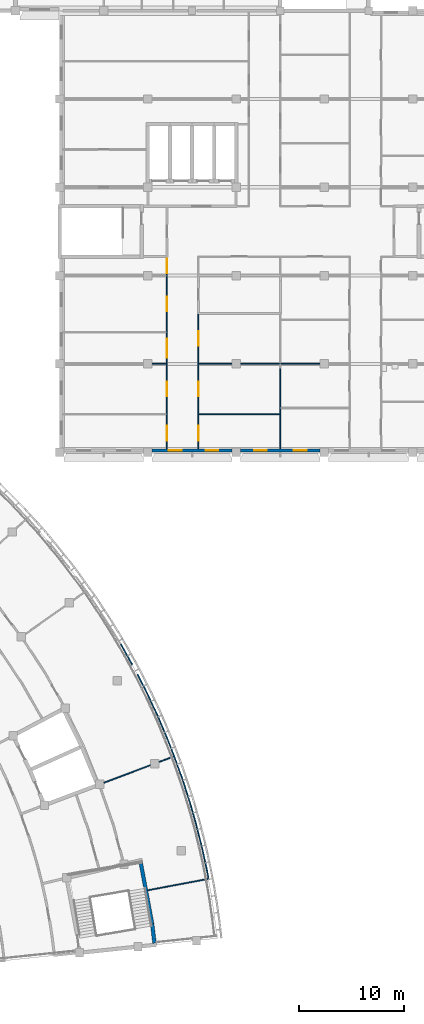
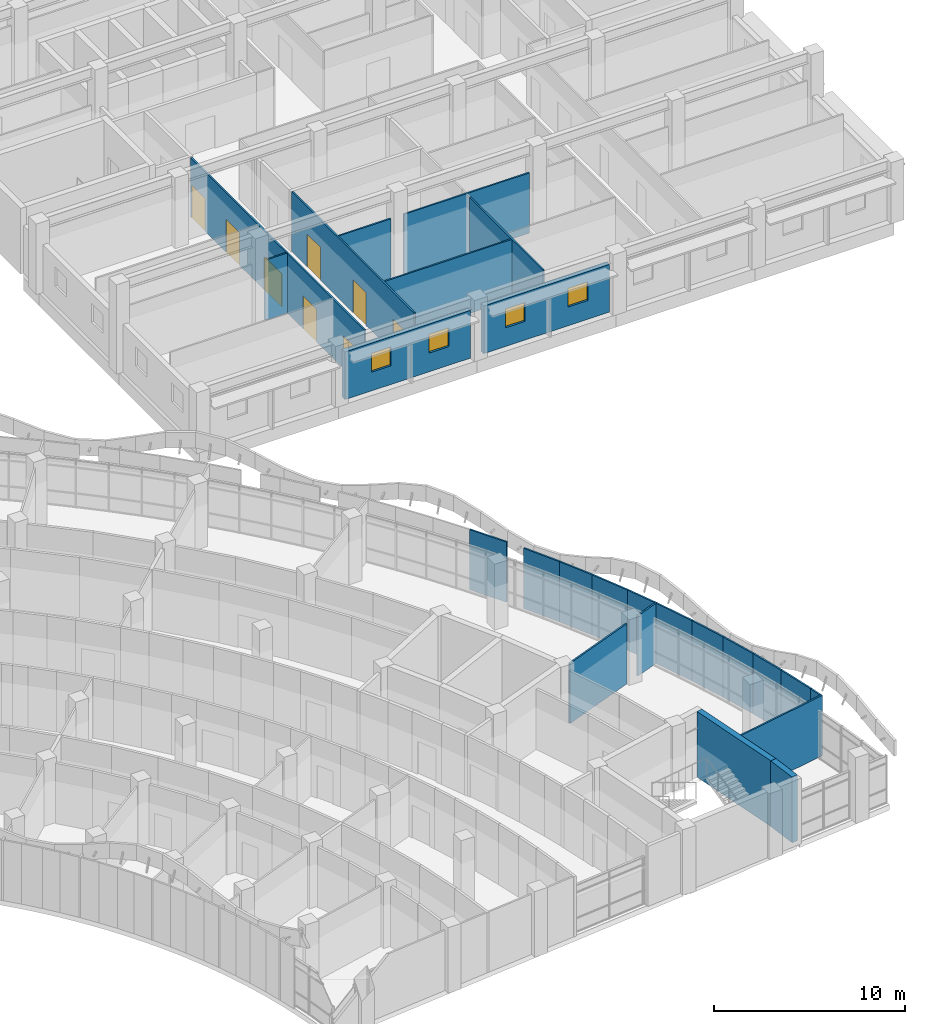
# One storey, part 67 of 109: 25 walls, 8 doors, 4 windows, 12 openings.
"""IFC4 building model written with IfcOpenShell, lengths in metres."""

from ifc_helpers import new_model, si_unit, direction, frame, frame_2d, origin, place, context, subcontext, project, spatial, rectangle, extrude, material, layer, layer_set, type_object, element, fill, save


model = new_model("IFC4")

# Units and contexts
model_context = context("Model", 3, precision=1e-05, world=origin(), true_north=direction((0.0, 1.0)))
body_context = subcontext(model_context, "Body", "Model", "MODEL_VIEW")
ifc_project = project(units=[si_unit("LENGTHUNIT", "METRE"), si_unit("AREAUNIT", "SQUARE_METRE"), si_unit("VOLUMEUNIT", "CUBIC_METRE"), si_unit("PLANEANGLEUNIT", "RADIAN"), si_unit("MASSUNIT", "GRAM", prefix="KILO")], contexts=[model_context])

# Site, building, storey
site_placement = place(None, origin())
site = spatial("IfcSite", under=ifc_project, at=site_placement, CompositionType="ELEMENT")
building_placement = place(site_placement, origin())
building = spatial("IfcBuilding", under=site, at=building_placement, Name="Bougainvillea Quay General Hospital", CompositionType="ELEMENT")
storey_placement = place(building_placement, frame((0.0, 0.0, 12.60009765625)))
storey = spatial("IfcBuildingStorey", under=building, at=storey_placement, Name="L02", CompositionType="ELEMENT", Elevation=12.60009765625)

# Wall, openings, windows
ifc_material_1 = material(Name="Pale stone rainscreen cladding on insulated masonry backing, pale stone", Category="masonry")
ifc_layer_1 = layer(ifc_material_1, 0.300048828125)
ifc_layer_set_1 = layer_set([ifc_layer_1], Name="Pale stone rainscreen cladding on insulated masonry backing, pale stone")
wall_type_1 = type_object("IfcWallType", Name="External wall pale stone rainscreen 300", PredefinedType="STANDARD", material=ifc_layer_set_1)
wall_1_placement = place(storey_placement, frame((172.60009765625, 75.75, 0.0), z_axis=(0.0, 0.0, 1.0), x_axis=(1.0, 0.0, 0.0)))
wall_1 = element("IfcWall", 1, at=wall_1_placement, inside=storey, type_object=wall_type_1, Name="External wall wall/V3/L02/p0/01b", PredefinedType="STANDARD", context=body_context, shape_type="SweptSolid", body=[
    extrude(rectangle(XDim=7.599853515625, YDim=0.300048828125, at=frame_2d((3.7998046875, 0.0))), origin(), (0.0, 0.0, 1.0), 3.0498046875),
])
opening_1_placement = place(wall_1_placement, frame((1.60009765625, 0.0, 1.199951171875)))
opening_1 = element("IfcOpeningElement", 2, at=opening_1_placement, cuts=wall_1, Name="Opening W2", PredefinedType="OPENING", context=body_context, shape_type="SweptSolid", body=[
    extrude(rectangle(XDim=1.199951171875, YDim=1.199951171875, at=frame_2d((0.60009765625, 0.60009765625))), frame((0.0, 0.159912109375, 0.0), z_axis=(0.0, -1.0, 0.0), x_axis=(1.0, 0.0, 0.0)), (0.0, 0.0, 1.0), 0.320068359375),
])
opening_2_placement = place(wall_1_placement, frame((5.10009765625, 0.0, 1.199951171875)))
opening_2 = element("IfcOpeningElement", 3, at=opening_2_placement, cuts=wall_1, Name="Opening W2", PredefinedType="OPENING", context=body_context, shape_type="SweptSolid", body=[
    extrude(rectangle(XDim=1.199951171875, YDim=1.199951171875, at=frame_2d((0.60009765625, 0.60009765625))), frame((0.0, 0.159912109375, 0.0), z_axis=(0.0, -1.0, 0.0), x_axis=(1.0, 0.0, 0.0)), (0.0, 0.0, 1.0), 0.320068359375),
])
ifc_material_2 = material(Name="Aluminium window frame with low-e double glazed unit", Category="aluminium")
window_type = type_object("IfcWindowType", Name="Window W2 1200x1200", PartitioningType="SINGLE_PANEL", PredefinedType="WINDOW", material=ifc_material_2)
window_1_placement = place(opening_1_placement, origin())
window_1 = element("IfcWindow", 4, at=window_1_placement, inside=storey, type_object=window_type, Name="Window W2 1", OverallHeight=1.199951171875, OverallWidth=1.199951171875, PartitioningType="SINGLE_PANEL", PredefinedType="WINDOW", context=body_context, shape_type="SweptSolid", body=[
    extrude(rectangle(XDim=1.199951171875, YDim=1.199951171875, at=frame_2d((0.60009765625, 0.60009765625))), frame((0.0, 0.030029296875, 0.0), z_axis=(0.0, -1.0, 0.0), x_axis=(1.0, 0.0, 0.0)), (0.0, 0.0, 1.0), 0.06005859375),
])
fill(opening_1, window_1)
window_2_placement = place(opening_2_placement, origin())
window_2 = element("IfcWindow", 5, at=window_2_placement, inside=storey, type_object=window_type, Name="Window W2 2", OverallHeight=1.199951171875, OverallWidth=1.199951171875, PartitioningType="SINGLE_PANEL", PredefinedType="WINDOW", context=body_context, shape_type="SweptSolid", body=[
    extrude(rectangle(XDim=1.199951171875, YDim=1.199951171875, at=frame_2d((0.60009765625, 0.60009765625))), frame((0.0, 0.030029296875, 0.0), z_axis=(0.0, -1.0, 0.0), x_axis=(1.0, 0.0, 0.0)), (0.0, 0.0, 1.0), 0.06005859375),
])
fill(opening_2, window_2)

wall_2_placement = place(storey_placement, frame((181.0, 75.75, 0.0), z_axis=(0.0, 0.0, 1.0), x_axis=(1.0, 0.0, 0.0)))
wall_2 = element("IfcWall", 6, at=wall_2_placement, inside=storey, type_object=wall_type_1, Name="External wall wall/V3/L02/p0/01c", PredefinedType="STANDARD", context=body_context, shape_type="SweptSolid", body=[
    extrude(rectangle(XDim=7.60009765625, YDim=0.300048828125, at=frame_2d((3.800048828125, 0.0))), origin(), (0.0, 0.0, 1.0), 3.0498046875),
])
opening_3_placement = place(wall_2_placement, frame((1.300048828125, 0.0, 1.199951171875)))
opening_3 = element("IfcOpeningElement", 7, at=opening_3_placement, cuts=wall_2, Name="Opening W2", PredefinedType="OPENING", context=body_context, shape_type="SweptSolid", body=[
    extrude(rectangle(XDim=1.199951171875, YDim=1.199951171875, at=frame_2d((0.60009765625, 0.60009765625))), frame((0.0, 0.159912109375, 0.0), z_axis=(0.0, -1.0, 0.0), x_axis=(1.0, 0.0, 0.0)), (0.0, 0.0, 1.0), 0.320068359375),
])
opening_4_placement = place(wall_2_placement, frame((5.10009765625, 0.0, 1.199951171875)))
opening_4 = element("IfcOpeningElement", 8, at=opening_4_placement, cuts=wall_2, Name="Opening W2", PredefinedType="OPENING", context=body_context, shape_type="SweptSolid", body=[
    extrude(rectangle(XDim=1.199951171875, YDim=1.199951171875, at=frame_2d((0.60009765625, 0.60009765625))), frame((0.0, 0.159912109375, 0.0), z_axis=(0.0, -1.0, 0.0), x_axis=(1.0, 0.0, 0.0)), (0.0, 0.0, 1.0), 0.320068359375),
])
window_3_placement = place(opening_3_placement, origin())
window_3 = element("IfcWindow", 9, at=window_3_placement, inside=storey, type_object=window_type, Name="Window W2 1", OverallHeight=1.199951171875, OverallWidth=1.199951171875, PartitioningType="SINGLE_PANEL", PredefinedType="WINDOW", context=body_context, shape_type="SweptSolid", body=[
    extrude(rectangle(XDim=1.199951171875, YDim=1.199951171875, at=frame_2d((0.60009765625, 0.60009765625))), frame((0.0, 0.030029296875, 0.0), z_axis=(0.0, -1.0, 0.0), x_axis=(1.0, 0.0, 0.0)), (0.0, 0.0, 1.0), 0.06005859375),
])
fill(opening_3, window_3)
window_4_placement = place(opening_4_placement, origin())
window_4 = element("IfcWindow", 10, at=window_4_placement, inside=storey, type_object=window_type, Name="Window W2 2", OverallHeight=1.199951171875, OverallWidth=1.199951171875, PartitioningType="SINGLE_PANEL", PredefinedType="WINDOW", context=body_context, shape_type="SweptSolid", body=[
    extrude(rectangle(XDim=1.199951171875, YDim=1.199951171875, at=frame_2d((0.60009765625, 0.60009765625))), frame((0.0, 0.030029296875, 0.0), z_axis=(0.0, -1.0, 0.0), x_axis=(1.0, 0.0, 0.0)), (0.0, 0.0, 1.0), 0.06005859375),
])
fill(opening_4, window_4)

# Wall, openings, doors
ifc_material_3 = material(Name="Gypsum board partition on steel studs", Category="steel")
ifc_layer_2 = layer(ifc_material_3, 0.10009765625)
ifc_layer_set_2 = layer_set([ifc_layer_2], Name="Gypsum board partition on steel studs")
wall_type_2 = type_object("IfcWallType", Name="Partition 100 Gypsum board partition", PredefinedType="PARTITIONING", material=ifc_layer_set_2)
wall_3_placement = place(storey_placement, frame((174.0, 94.10009765625, 0.0), z_axis=(0.0, 0.0, 1.0), x_axis=(0.0, -1.0, 0.0)))
wall_3 = element("IfcWall", 11, at=wall_3_placement, inside=storey, type_object=wall_type_2, Name="Partition 100 mm", PredefinedType="PARTITIONING", context=body_context, shape_type="SweptSolid", body=[
    extrude(rectangle(XDim=18.2001953125, YDim=0.10009765625, at=frame_2d((9.10009765625, 0.0))), origin(), (0.0, 0.0, 1.0), 3.789794921875),
])
opening_5_placement = place(wall_3_placement, frame((0.10009765625, 0.0, 0.0)))
opening_5 = element("IfcOpeningElement", 12, at=opening_5_placement, cuts=wall_3, Name="Opening L02.053", PredefinedType="OPENING", context=body_context, shape_type="SweptSolid", body=[
    extrude(rectangle(XDim=1.39990234375, YDim=2.10009765625, at=frame_2d((0.699951171875, 1.050048828125))), frame((0.0, 0.06005859375, 0.0), z_axis=(0.0, -1.0, 0.0), x_axis=(1.0, 0.0, 0.0)), (0.0, 0.0, 1.0), 0.1201171875),
])
opening_6_placement = place(wall_3_placement, frame((3.699951171875, 0.0, 0.0)))
opening_6 = element("IfcOpeningElement", 13, at=opening_6_placement, cuts=wall_3, Name="Opening L02.054", PredefinedType="OPENING", context=body_context, shape_type="SweptSolid", body=[
    extrude(rectangle(XDim=1.39990234375, YDim=2.10009765625, at=frame_2d((0.699951171875, 1.050048828125))), frame((0.0, 0.06005859375, 0.0), z_axis=(0.0, -1.0, 0.0), x_axis=(1.0, 0.0, 0.0)), (0.0, 0.0, 1.0), 0.1201171875),
])
opening_7_placement = place(wall_3_placement, frame((7.699951171875, 0.0, 0.0)))
opening_7 = element("IfcOpeningElement", 14, at=opening_7_placement, cuts=wall_3, Name="Opening L02.055", PredefinedType="OPENING", context=body_context, shape_type="SweptSolid", body=[
    extrude(rectangle(XDim=1.800048828125, YDim=2.10009765625, at=frame_2d((0.89990234375, 1.050048828125))), frame((0.0, 0.06005859375, 0.0), z_axis=(0.0, -1.0, 0.0), x_axis=(1.0, 0.0, 0.0)), (0.0, 0.0, 1.0), 0.1201171875),
])
opening_8_placement = place(wall_3_placement, frame((11.800048828125, 0.0, 0.0)))
opening_8 = element("IfcOpeningElement", 15, at=opening_8_placement, cuts=wall_3, Name="Opening L02.056", PredefinedType="OPENING", context=body_context, shape_type="SweptSolid", body=[
    extrude(rectangle(XDim=1.39990234375, YDim=2.10009765625, at=frame_2d((0.699951171875, 1.050048828125))), frame((0.0, 0.06005859375, 0.0), z_axis=(0.0, -1.0, 0.0), x_axis=(1.0, 0.0, 0.0)), (0.0, 0.0, 1.0), 0.1201171875),
])
opening_9_placement = place(wall_3_placement, frame((16.0, 0.0, 0.0)))
opening_9 = element("IfcOpeningElement", 16, at=opening_9_placement, cuts=wall_3, Name="Opening L02.057", PredefinedType="OPENING", context=body_context, shape_type="SweptSolid", body=[
    extrude(rectangle(XDim=1.39990234375, YDim=2.10009765625, at=frame_2d((0.699951171875, 1.050048828125))), frame((0.0, 0.06005859375, 0.0), z_axis=(0.0, -1.0, 0.0), x_axis=(1.0, 0.0, 0.0)), (0.0, 0.0, 1.0), 0.1201171875),
])
ifc_material_4 = material(Name="Solid-core timber door leaves in steel frame", Category="steel")
door_type_1 = type_object("IfcDoorType", Name="Bed door pair 1400x2100", OperationType="DOUBLE_DOOR_SINGLE_SWING", PredefinedType="DOOR", material=ifc_material_4)
door_1_placement = place(opening_5_placement, frame((1.39990234375, 0.0, 0.0), z_axis=(0.0, 0.0, 1.0), x_axis=(-1.0, 0.0, 0.0)))
door_1 = element("IfcDoor", 17, at=door_1_placement, inside=storey, type_object=door_type_1, Name="DT09 L02.053", OperationType="DOUBLE_DOOR_SINGLE_SWING", OverallHeight=2.10009765625, OverallWidth=1.39990234375, PredefinedType="DOOR", context=body_context, shape_type="SweptSolid", body=[
    extrude(rectangle(XDim=1.39990234375, YDim=2.10009765625, at=frame_2d((0.699951171875, 1.050048828125))), frame((0.0, 0.02490234375, 0.0), z_axis=(0.0, -1.0, 0.0), x_axis=(1.0, 0.0, 0.0)), (0.0, 0.0, 1.0), 0.050048828125),
])
fill(opening_5, door_1)
door_2_placement = place(opening_6_placement, frame((1.39990234375, 0.0, 0.0), z_axis=(0.0, 0.0, 1.0), x_axis=(-1.0, 0.0, 0.0)))
door_2 = element("IfcDoor", 18, at=door_2_placement, inside=storey, type_object=door_type_1, Name="DT09 L02.054", OperationType="DOUBLE_DOOR_SINGLE_SWING", OverallHeight=2.10009765625, OverallWidth=1.39990234375, PredefinedType="DOOR", context=body_context, shape_type="SweptSolid", body=[
    extrude(rectangle(XDim=1.39990234375, YDim=2.10009765625, at=frame_2d((0.699951171875, 1.050048828125))), frame((0.0, 0.02490234375, 0.0), z_axis=(0.0, -1.0, 0.0), x_axis=(1.0, 0.0, 0.0)), (0.0, 0.0, 1.0), 0.050048828125),
])
fill(opening_6, door_2)
door_3_placement = place(opening_8_placement, frame((1.39990234375, 0.0, 0.0), z_axis=(0.0, 0.0, 1.0), x_axis=(-1.0, 0.0, 0.0)))
door_3 = element("IfcDoor", 19, at=door_3_placement, inside=storey, type_object=door_type_1, Name="DT09 L02.056", OperationType="DOUBLE_DOOR_SINGLE_SWING", OverallHeight=2.10009765625, OverallWidth=1.39990234375, PredefinedType="DOOR", context=body_context, shape_type="SweptSolid", body=[
    extrude(rectangle(XDim=1.39990234375, YDim=2.10009765625, at=frame_2d((0.699951171875, 1.050048828125))), frame((0.0, 0.02490234375, 0.0), z_axis=(0.0, -1.0, 0.0), x_axis=(1.0, 0.0, 0.0)), (0.0, 0.0, 1.0), 0.050048828125),
])
fill(opening_8, door_3)
door_4_placement = place(opening_9_placement, frame((1.39990234375, 0.0, 0.0), z_axis=(0.0, 0.0, 1.0), x_axis=(-1.0, 0.0, 0.0)))
door_4 = element("IfcDoor", 20, at=door_4_placement, inside=storey, type_object=door_type_1, Name="DT09 L02.057", OperationType="DOUBLE_DOOR_SINGLE_SWING", OverallHeight=2.10009765625, OverallWidth=1.39990234375, PredefinedType="DOOR", context=body_context, shape_type="SweptSolid", body=[
    extrude(rectangle(XDim=1.39990234375, YDim=2.10009765625, at=frame_2d((0.699951171875, 1.050048828125))), frame((0.0, 0.02490234375, 0.0), z_axis=(0.0, -1.0, 0.0), x_axis=(1.0, 0.0, 0.0)), (0.0, 0.0, 1.0), 0.050048828125),
])
fill(opening_9, door_4)
door_type_2 = type_object("IfcDoorType", Name="Double leaf door 1800x2100", OperationType="DOUBLE_DOOR_SINGLE_SWING", PredefinedType="DOOR", material=ifc_material_4)
door_5_placement = place(opening_7_placement, frame((1.800048828125, 0.0, 0.0), z_axis=(0.0, 0.0, 1.0), x_axis=(-1.0, 0.0, 0.0)))
door_5 = element("IfcDoor", 21, at=door_5_placement, inside=storey, type_object=door_type_2, Name="DT08 L02.055", OperationType="DOUBLE_DOOR_SINGLE_SWING", OverallHeight=2.10009765625, OverallWidth=1.800048828125, PredefinedType="DOOR", context=body_context, shape_type="SweptSolid", body=[
    extrude(rectangle(XDim=1.800048828125, YDim=2.10009765625, at=frame_2d((0.89990234375, 1.050048828125))), frame((0.0, 0.02490234375, 0.0), z_axis=(0.0, -1.0, 0.0), x_axis=(1.0, 0.0, 0.0)), (0.0, 0.0, 1.0), 0.050048828125),
])
fill(opening_7, door_5)

wall_4_placement = place(storey_placement, frame((177.0, 88.699951171875, 0.0), z_axis=(0.0, 0.0, 1.0), x_axis=(0.0, -1.0, 0.0)))
wall_4 = element("IfcWall", 22, at=wall_4_placement, inside=storey, type_object=wall_type_2, Name="Partition 100 mm", PredefinedType="PARTITIONING", context=body_context, shape_type="SweptSolid", body=[
    extrude(rectangle(XDim=12.800048828125, YDim=0.10009765625, at=frame_2d((6.39990234375, 0.0))), origin(), (0.0, 0.0, 1.0), 3.849853515625),
])
opening_10_placement = place(wall_4_placement, frame((1.60009765625, 0.0, 0.0)))
opening_10 = element("IfcOpeningElement", 23, at=opening_10_placement, cuts=wall_4, Name="Opening L02.060", PredefinedType="OPENING", context=body_context, shape_type="SweptSolid", body=[
    extrude(rectangle(XDim=1.39990234375, YDim=2.10009765625, at=frame_2d((0.699951171875, 1.050048828125))), frame((0.0, 0.06005859375, 0.0), z_axis=(0.0, -1.0, 0.0), x_axis=(1.0, 0.0, 0.0)), (0.0, 0.0, 1.0), 0.1201171875),
])
opening_11_placement = place(wall_4_placement, frame((6.39990234375, 0.0, 0.0)))
opening_11 = element("IfcOpeningElement", 24, at=opening_11_placement, cuts=wall_4, Name="Opening L02.061", PredefinedType="OPENING", context=body_context, shape_type="SweptSolid", body=[
    extrude(rectangle(XDim=1.39990234375, YDim=2.10009765625, at=frame_2d((0.699951171875, 1.050048828125))), frame((0.0, 0.06005859375, 0.0), z_axis=(0.0, -1.0, 0.0), x_axis=(1.0, 0.0, 0.0)), (0.0, 0.0, 1.0), 0.1201171875),
])
opening_12_placement = place(wall_4_placement, frame((10.60009765625, 0.0, 0.0)))
opening_12 = element("IfcOpeningElement", 25, at=opening_12_placement, cuts=wall_4, Name="Opening L02.062", PredefinedType="OPENING", context=body_context, shape_type="SweptSolid", body=[
    extrude(rectangle(XDim=1.39990234375, YDim=2.10009765625, at=frame_2d((0.699951171875, 1.050048828125))), frame((0.0, 0.06005859375, 0.0), z_axis=(0.0, -1.0, 0.0), x_axis=(1.0, 0.0, 0.0)), (0.0, 0.0, 1.0), 0.1201171875),
])
door_6_placement = place(opening_10_placement, origin())
door_6 = element("IfcDoor", 26, at=door_6_placement, inside=storey, type_object=door_type_1, Name="DT09 L02.060", OperationType="DOUBLE_DOOR_SINGLE_SWING", OverallHeight=2.10009765625, OverallWidth=1.39990234375, PredefinedType="DOOR", context=body_context, shape_type="SweptSolid", body=[
    extrude(rectangle(XDim=1.39990234375, YDim=2.10009765625, at=frame_2d((0.699951171875, 1.050048828125))), frame((0.0, 0.02490234375, 0.0), z_axis=(0.0, -1.0, 0.0), x_axis=(1.0, 0.0, 0.0)), (0.0, 0.0, 1.0), 0.050048828125),
])
fill(opening_10, door_6)
door_7_placement = place(opening_11_placement, origin())
door_7 = element("IfcDoor", 27, at=door_7_placement, inside=storey, type_object=door_type_1, Name="DT09 L02.061", OperationType="DOUBLE_DOOR_SINGLE_SWING", OverallHeight=2.10009765625, OverallWidth=1.39990234375, PredefinedType="DOOR", context=body_context, shape_type="SweptSolid", body=[
    extrude(rectangle(XDim=1.39990234375, YDim=2.10009765625, at=frame_2d((0.699951171875, 1.050048828125))), frame((0.0, 0.02490234375, 0.0), z_axis=(0.0, -1.0, 0.0), x_axis=(1.0, 0.0, 0.0)), (0.0, 0.0, 1.0), 0.050048828125),
])
fill(opening_11, door_7)
door_8_placement = place(opening_12_placement, origin())
door_8 = element("IfcDoor", 28, at=door_8_placement, inside=storey, type_object=door_type_1, Name="DT09 L02.062", OperationType="DOUBLE_DOOR_SINGLE_SWING", OverallHeight=2.10009765625, OverallWidth=1.39990234375, PredefinedType="DOOR", context=body_context, shape_type="SweptSolid", body=[
    extrude(rectangle(XDim=1.39990234375, YDim=2.10009765625, at=frame_2d((0.699951171875, 1.050048828125))), frame((0.0, 0.02490234375, 0.0), z_axis=(0.0, -1.0, 0.0), x_axis=(1.0, 0.0, 0.0)), (0.0, 0.0, 1.0), 0.050048828125),
])
fill(opening_12, door_8)

# Walls
wall_5_placement = place(storey_placement, frame((177.050048828125, 84.0, 0.0), z_axis=(0.0, 0.0, 1.0), x_axis=(1.0, 0.0, 0.0)))
element("IfcWall", 29, at=wall_5_placement, inside=storey, type_object=wall_type_2, Name="Partition 100 mm", PredefinedType="PARTITIONING", context=body_context, shape_type="SweptSolid", body=[
    extrude(rectangle(XDim=3.14990234375, YDim=0.10009765625, at=frame_2d((1.574951171875, 0.0))), origin(), (0.0, 0.0, 1.0), 3.849853515625),
])
wall_6_placement = place(storey_placement, frame((181.0, 84.0, 0.0), z_axis=(0.0, 0.0, 1.0), x_axis=(1.0, 0.0, 0.0)))
element("IfcWall", 30, at=wall_6_placement, inside=storey, type_object=wall_type_2, Name="Partition 100 mm", PredefinedType="PARTITIONING", context=body_context, shape_type="SweptSolid", body=[
    extrude(rectangle(XDim=7.60009765625, YDim=0.10009765625, at=frame_2d((3.800048828125, 0.0))), origin(), (0.0, 0.0, 1.0), 3.849853515625),
])
wall_7_placement = place(storey_placement, frame((184.800048828125, 83.60009765625, 0.0), z_axis=(0.0, 0.0, 1.0), x_axis=(0.0, -1.0, 0.0)))
element("IfcWall", 31, at=wall_7_placement, inside=storey, type_object=wall_type_2, Name="Partition 100 mm", PredefinedType="PARTITIONING", context=body_context, shape_type="SweptSolid", body=[
    extrude(rectangle(XDim=7.7001953125, YDim=0.10009765625, at=frame_2d((3.85009765625, 0.0))), origin(), (0.0, 0.0, 1.0), 3.849853515625),
])
wall_8_placement = place(storey_placement, frame((172.60009765625, 84.0, 0.0), z_axis=(0.0, 0.0, 1.0), x_axis=(1.0, 0.0, 0.0)))
element("IfcWall", 32, at=wall_8_placement, inside=storey, type_object=wall_type_2, Name="Partition 100 mm", PredefinedType="PARTITIONING", context=body_context, shape_type="SweptSolid", body=[
    extrude(rectangle(XDim=1.349853515625, YDim=0.10009765625, at=frame_2d((0.6748046875, 0.0))), origin(), (0.0, 0.0, 1.0), 3.849853515625),
])
wall_9_placement = place(storey_placement, frame((177.050048828125, 79.199951171875, 0.0), z_axis=(0.0, 0.0, 1.0), x_axis=(1.0, 0.0, 0.0)))
element("IfcWall", 33, at=wall_9_placement, inside=storey, type_object=wall_type_2, Name="Partition 100 mm", PredefinedType="PARTITIONING", context=body_context, shape_type="SweptSolid", body=[
    extrude(rectangle(XDim=7.699951171875, YDim=0.10009765625, at=frame_2d((3.85009765625, 0.0))), origin(), (0.0, 0.0, 1.0), 3.849853515625),
])
ifc_layer_3 = layer(ifc_material_3, 0.10009765625)
ifc_layer_set_3 = layer_set([ifc_layer_3], Name="Gypsum board partition on steel studs")
wall_type_3 = type_object("IfcWallType", Name="Partition 100 Gypsum board partition EI 30", PredefinedType="PARTITIONING", material=ifc_layer_set_3)
wall_10_placement = place(storey_placement, frame((168.016357421875, 44.14013671875, 0.0), z_axis=(0.0, 0.0, 1.0), x_axis=(0.935850976525, 0.352396012659, 0.0)))
element("IfcWall", 34, at=wall_10_placement, inside=storey, type_object=wall_type_3, Name="Partition 100 mm EI 30", PredefinedType="PARTITIONING", context=body_context, shape_type="SweptSolid", body=[
    extrude(rectangle(XDim=4.708251953125, YDim=0.10009765625, at=frame_2d((2.35400390625, 0.0))), origin(), (0.0, 0.0, 1.0), 3.849853515625),
])
wall_11_placement = place(storey_placement, frame((173.25732421875, 46.113525390625, 0.0), z_axis=(0.0, 0.0, 1.0), x_axis=(0.93586999438, 0.35234550319, 0.0)))
element("IfcWall", 35, at=wall_11_placement, inside=storey, type_object=wall_type_3, Name="Partition 100 mm EI 30", PredefinedType="PARTITIONING", context=body_context, shape_type="SweptSolid", body=[
    extrude(rectangle(XDim=1.597900390625, YDim=0.10009765625, at=frame_2d((0.798828125, 0.0))), origin(), (0.0, 0.0, 1.0), 3.849853515625),
])
wall_12_placement = place(storey_placement, frame((172.18701171875, 33.90380859375, 0.0), z_axis=(0.0, 0.0, 1.0), x_axis=(0.982613852835, 0.185661025037, 0.0)))
element("IfcWall", 36, at=wall_12_placement, inside=storey, type_object=wall_type_3, Name="Partition 100 mm EI 30", PredefinedType="PARTITIONING", context=body_context, shape_type="SweptSolid", body=[
    extrude(rectangle(XDim=5.9384765625, YDim=0.10009765625, at=frame_2d((2.96923828125, 0.0))), origin(), (0.0, 0.0, 1.0), 3.849853515625),
])
wall_13_placement = place(storey_placement, frame((174.72314453125, 46.611083984375, 0.0), z_axis=(0.0, 0.0, 1.0), x_axis=(0.336762779461, -0.94158952329, 0.0)))
element("IfcWall", 37, at=wall_13_placement, inside=storey, type_object=wall_type_3, Name="Partition 100 mm EI 30", PredefinedType="PARTITIONING", context=body_context, shape_type="SweptSolid", body=[
    extrude(rectangle(XDim=2.46630859375, YDim=0.10009765625, at=frame_2d((1.233154296875, 0.0))), origin(), (0.0, 0.0, 1.0), 3.849853515625),
])
wall_14_placement = place(storey_placement, frame((169.62353515625, 57.32958984375, 0.0), z_axis=(0.0, 0.0, 1.0), x_axis=(0.490245804698, -0.871584219095, 0.0)))
element("IfcWall", 38, at=wall_14_placement, inside=storey, type_object=wall_type_3, Name="Partition 100 mm EI 30", PredefinedType="PARTITIONING", context=body_context, shape_type="SweptSolid", body=[
    extrude(rectangle(XDim=2.2529296875, YDim=0.10009765625, at=frame_2d((1.12646484375, 0.0))), origin(), (0.0, 0.0, 1.0), 3.849853515625),
])
wall_15_placement = place(storey_placement, frame((171.220947265625, 54.444091796875, 0.0), z_axis=(0.0, 0.0, 1.0), x_axis=(0.449727785834, -0.893165672565, 0.0)))
element("IfcWall", 39, at=wall_15_placement, inside=storey, type_object=wall_type_3, Name="Partition 100 mm EI 30", PredefinedType="PARTITIONING", context=body_context, shape_type="SweptSolid", body=[
    extrude(rectangle(XDim=2.251220703125, YDim=0.10009765625, at=frame_2d((1.12548828125, 0.0))), origin(), (0.0, 0.0, 1.0), 3.849853515625),
])
wall_16_placement = place(storey_placement, frame((173.118408203125, 50.529052734375, 0.0), z_axis=(0.0, 0.0, 1.0), x_axis=(0.392535641105, -0.919736794122, 0.0)))
element("IfcWall", 40, at=wall_16_placement, inside=storey, type_object=wall_type_3, Name="Partition 100 mm EI 30", PredefinedType="PARTITIONING", context=body_context, shape_type="SweptSolid", body=[
    extrude(rectangle(XDim=2.300537109375, YDim=0.10009765625, at=frame_2d((1.150390625, 0.0))), origin(), (0.0, 0.0, 1.0), 3.849853515625),
])
wall_17_placement = place(storey_placement, frame((177.336181640625, 38.039794921875, 0.0), z_axis=(0.0, 0.0, 1.0), x_axis=(0.213187334012, -0.977011341089, 0.0)))
element("IfcWall", 41, at=wall_17_placement, inside=storey, type_object=wall_type_3, Name="Partition 100 mm EI 30", PredefinedType="PARTITIONING", context=body_context, shape_type="SweptSolid", body=[
    extrude(rectangle(XDim=2.30078125, YDim=0.10009765625, at=frame_2d((1.150390625, 0.0))), origin(), (0.0, 0.0, 1.0), 3.849853515625),
])
wall_18_placement = place(storey_placement, frame((175.5517578125, 44.289794921875, 0.0), z_axis=(0.0, 0.0, 1.0), x_axis=(0.304461914253, -0.952524510325, 0.0)))
element("IfcWall", 42, at=wall_18_placement, inside=storey, type_object=wall_type_3, Name="Partition 100 mm EI 30", PredefinedType="PARTITIONING", context=body_context, shape_type="SweptSolid", body=[
    extrude(rectangle(XDim=2.201904296875, YDim=0.10009765625, at=frame_2d((1.10107421875, 0.0))), origin(), (0.0, 0.0, 1.0), 3.849853515625),
])
wall_19_placement = place(storey_placement, frame((176.22021484375, 42.193359375, 0.0), z_axis=(0.0, 0.0, 1.0), x_axis=(0.274105977671, -0.961699492048, 0.0)))
element("IfcWall", 43, at=wall_19_placement, inside=storey, type_object=wall_type_3, Name="Partition 100 mm EI 30", PredefinedType="PARTITIONING", context=body_context, shape_type="SweptSolid", body=[
    extrude(rectangle(XDim=2.20166015625, YDim=0.10009765625, at=frame_2d((1.100830078125, 0.0))), origin(), (0.0, 0.0, 1.0), 3.849853515625),
])
wall_20_placement = place(storey_placement, frame((172.2314453125, 52.43408203125, 0.0), z_axis=(0.0, 0.0, 1.0), x_axis=(0.42144215668, -0.906855285353, 0.0)))
element("IfcWall", 44, at=wall_20_placement, inside=storey, type_object=wall_type_3, Name="Partition 100 mm EI 30", PredefinedType="PARTITIONING", context=body_context, shape_type="SweptSolid", body=[
    extrude(rectangle(XDim=2.102783203125, YDim=0.10009765625, at=frame_2d((1.05126953125, 0.0))), origin(), (0.0, 0.0, 1.0), 3.849853515625),
])
wall_21_placement = place(storey_placement, frame((176.82177734375, 40.076904296875, 0.0), z_axis=(0.0, 0.0, 1.0), x_axis=(0.244201941447, -0.969724399917, 0.0)))
element("IfcWall", 45, at=wall_21_placement, inside=storey, type_object=wall_type_3, Name="Partition 100 mm EI 30", PredefinedType="PARTITIONING", context=body_context, shape_type="SweptSolid", body=[
    extrude(rectangle(XDim=2.1025390625, YDim=0.10009765625, at=frame_2d((1.05126953125, 0.0))), origin(), (0.0, 0.0, 1.0), 3.849853515625),
])
wall_22_placement = place(storey_placement, frame((174.019775390625, 48.413818359375, 0.0), z_axis=(0.0, 0.0, 1.0), x_axis=(0.364148326517, -0.931340966722, 0.0)))
element("IfcWall", 46, at=wall_22_placement, inside=storey, type_object=wall_type_3, Name="Partition 100 mm EI 30", PredefinedType="PARTITIONING", context=body_context, shape_type="SweptSolid", body=[
    extrude(rectangle(XDim=1.833740234375, YDim=0.10009765625, at=frame_2d((0.9169921875, 0.0))), origin(), (0.0, 0.0, 1.0), 3.849853515625),
])
wall_23_placement = place(storey_placement, frame((177.824951171875, 35.793212890625, 0.0), z_axis=(0.0, 0.0, 1.0), x_axis=(0.18287179521, -0.983136768978, 0.0)))
element("IfcWall", 47, at=wall_23_placement, inside=storey, type_object=wall_type_3, Name="Partition 100 mm EI 30", PredefinedType="PARTITIONING", context=body_context, shape_type="SweptSolid", body=[
    extrude(rectangle(XDim=0.759521484375, YDim=0.10009765625, at=frame_2d((0.3798828125, 0.0))), origin(), (0.0, 0.0, 1.0), 3.849853515625),
])
ifc_material_5 = material(Name="Concrete C40", Category="concrete")
ifc_layer_4 = layer(ifc_material_5, 0.35009765625)
ifc_layer_set_4 = layer_set([ifc_layer_4], Name="Concrete C40")
wall_type_4 = type_object("IfcWallType", Name="RC SHEAR WALL 350 C40", PredefinedType="SHEAR", material=ifc_layer_set_4)
wall_24_placement = place(storey_placement, frame((172.603759765625, 30.715576171875, 0.0), z_axis=(0.0, 0.0, 1.0), x_axis=(0.120401871373, -0.992725233572, 0.0)))
element("IfcWall", 48, at=wall_24_placement, inside=storey, type_object=wall_type_4, Name="Shear wall L02", PredefinedType="SHEAR", context=body_context, shape_type="SweptSolid", body=[
    extrude(rectangle(XDim=1.861328125, YDim=0.35009765625, at=frame_2d((0.9306640625, 0.0))), origin(), (0.0, 0.0, 1.0), 4.199951171875),
])
wall_25_placement = place(storey_placement, frame((172.60205078125, 30.7265625, 0.0), z_axis=(0.0, 0.0, 1.0), x_axis=(-0.18353204361, 0.983013727762, 0.0)))
element("IfcWall", 49, at=wall_25_placement, inside=storey, type_object=wall_type_4, Name="Shear wall L02", PredefinedType="SHEAR", context=body_context, shape_type="SweptSolid", body=[
    extrude(rectangle(XDim=5.943603515625, YDim=0.35009765625, at=frame_2d((2.9716796875, 0.0))), origin(), (0.0, 0.0, 1.0), 4.199951171875),
])

save(model, "model.ifc")
